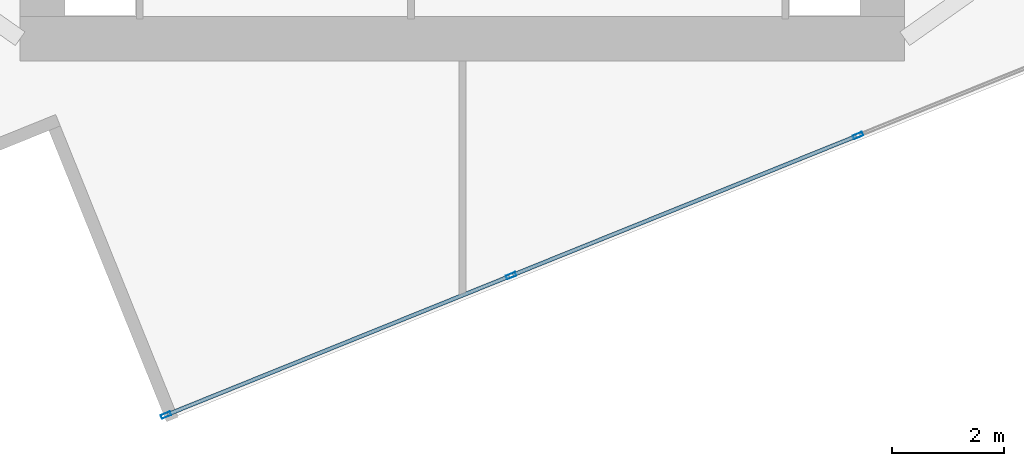
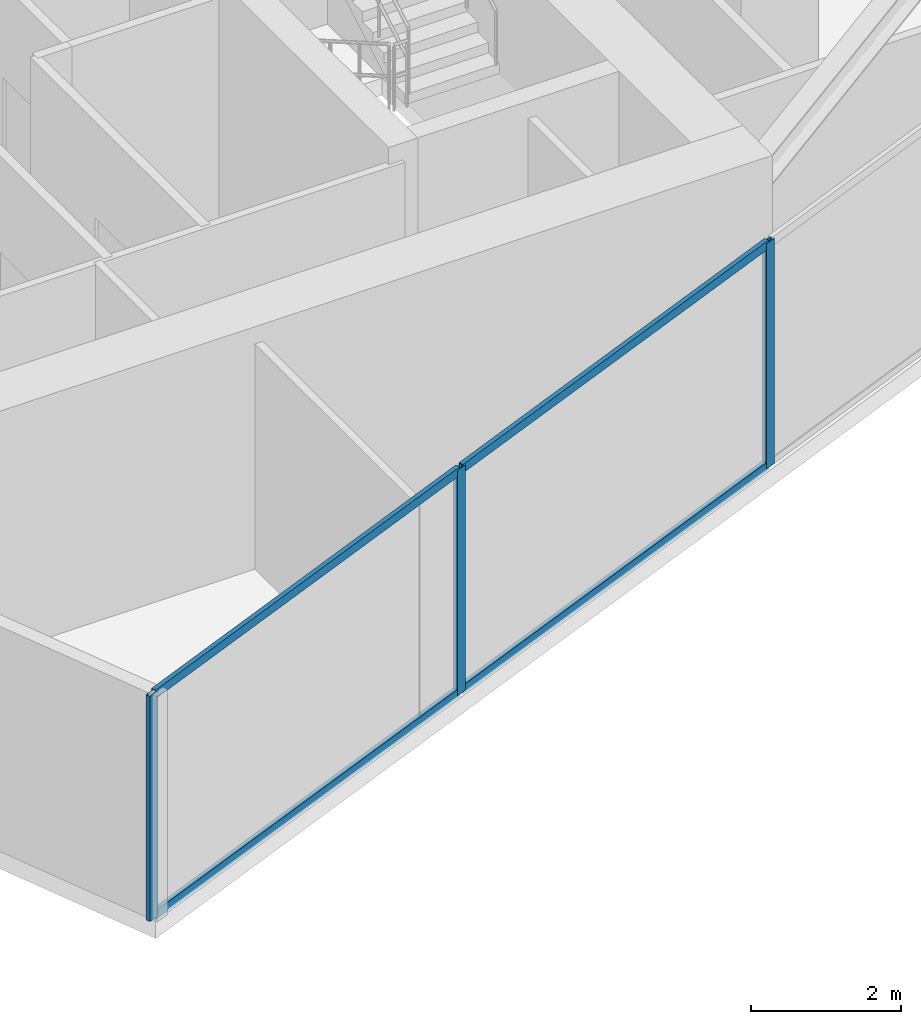
# One storey, part 3 of 21: 7 members, 1 element without a shape of its own.
"""IFC4 building model written with IfcOpenShell, lengths in metres."""

from ifc_helpers import new_model, si_unit, direction, frame, origin, origin_2d, place, context, subcontext, project, spatial, hollow_rectangle, extrude, source, transform, mapped, material, material_profile, profile_set, type_object, type_shapes, element, aggregate, save


model = new_model("IFC4")

# Units and contexts
model_context = context("Model", 3, precision=1e-05, world=origin(), true_north=direction((0.0, 1.0)))
body_context = subcontext(model_context, "Body", "Model", "MODEL_VIEW")
ifc_project = project(units=[si_unit("LENGTHUNIT", "METRE"), si_unit("AREAUNIT", "SQUARE_METRE"), si_unit("VOLUMEUNIT", "CUBIC_METRE"), si_unit("PLANEANGLEUNIT", "RADIAN"), si_unit("MASSUNIT", "GRAM", prefix="KILO")], contexts=[model_context])

# Site, building, storey
site_placement = place(None, origin())
site = spatial("IfcSite", under=ifc_project, at=site_placement, CompositionType="ELEMENT")
building_placement = place(site_placement, origin())
building = spatial("IfcBuilding", under=site, at=building_placement, Name="Krantzveldt Concourse Tower", CompositionType="ELEMENT")
storey_placement = place(building_placement, frame((0.0, 0.0, 327.699951171875)))
storey = spatial("IfcBuildingStorey", under=building, at=storey_placement, Name="L80", CompositionType="ELEMENT", Elevation=327.699951171875)

# Curtain wall, members
ifc_material = material(Name="Anodised aluminium 6063-T6", Category="aluminium")
curtain_wall_type = type_object("IfcCurtainWallType", Name="CW4", PredefinedType="USERDEFINED", material=ifc_material)
curtain_wall_placement = place(storey_placement, origin())
curtain_wall = element("IfcCurtainWall", 1, at=curtain_wall_placement, inside=storey, type_object=curtain_wall_type, Name="CW-L80-F07", ObjectType="UNITISED CURTAIN WALL", PredefinedType="USERDEFINED")
ifc_material_profile_1 = material_profile(ifc_material, hollow_rectangle(XDim=0.070068359375, YDim=0.179931640625, WallThickness=0.0048828125, at=origin_2d()), Name="Anodised aluminium 6063-T6", Category="aluminium")
ifc_profile_set_1 = profile_set([ifc_material_profile_1], Name="Anodised aluminium 6063-T6 - ALU-MULL 180x70x5")
member_type_1 = type_object("IfcMemberType", Name="CW-MUL-180", PredefinedType="MULLION", material=ifc_profile_set_1)
shared_shape_1 = source(origin(), body_context, "Body", "SweptSolid", [
    extrude(hollow_rectangle(XDim=0.070068359375, YDim=0.179931640625, WallThickness=0.0048828125, at=origin_2d()), origin(), (0.0, 0.0, 1.0), 3.670166015625),
])
type_shapes(member_type_1, [shared_shape_1])
member_1_placement = place(storey_placement, frame((30.69189453125, 4.160400390625, 0.0), z_axis=(0.0, 0.0, 1.0), x_axis=(-0.374606664198, 0.927183825969, 0.0)))
member_1 = element("IfcMember", 2, at=member_1_placement, type_object=member_type_1, Name="CW-Z56 mullion 1", PredefinedType="MULLION", context=body_context, shape_type="MappedRepresentation", body=[
    mapped(shared_shape_1, transform((0.0, 0.0, 0.0), x_axis=(1.0, 0.0, 0.0), y_axis=(0.0, 1.0, 0.0), z_axis=(0.0, 0.0, 1.0), scale=1.0)),
])
member_2_placement = place(storey_placement, frame((36.87158203125, 6.656982421875, 0.0), z_axis=(0.0, 0.0, 1.0), x_axis=(-0.374606664198, 0.927183825969, 0.0)))
member_2 = element("IfcMember", 3, at=member_2_placement, type_object=member_type_1, Name="CW-Z56 mullion 2", PredefinedType="MULLION", context=body_context, shape_type="MappedRepresentation", body=[
    mapped(shared_shape_1, transform((0.0, 0.0, 0.0), x_axis=(1.0, 0.0, 0.0), y_axis=(0.0, 1.0, 0.0), z_axis=(0.0, 0.0, 1.0), scale=1.0)),
])
member_3_placement = place(storey_placement, frame((43.083740234375, 9.1669921875, 0.0), z_axis=(0.0, 0.0, 1.0), x_axis=(-0.374606664198, 0.927183825969, 0.0)))
member_3 = element("IfcMember", 4, at=member_3_placement, type_object=member_type_1, Name="CW-Z56 mullion 3", PredefinedType="MULLION", context=body_context, shape_type="MappedRepresentation", body=[
    mapped(shared_shape_1, transform((0.0, 0.0, 0.0), x_axis=(1.0, 0.0, 0.0), y_axis=(0.0, 1.0, 0.0), z_axis=(0.0, 0.0, 1.0), scale=1.0)),
])
ifc_material_profile_2 = material_profile(ifc_material, hollow_rectangle(XDim=0.070068359375, YDim=0.139892578125, WallThickness=0.0048828125, at=origin_2d()), Name="Anodised aluminium 6063-T6", Category="aluminium")
ifc_profile_set_2 = profile_set([ifc_material_profile_2], Name="Anodised aluminium 6063-T6 - ALU-TRAN 140x70x5")
member_type_2 = type_object("IfcMemberType", Name="CW-TRN-150", PredefinedType="USERDEFINED", material=ifc_profile_set_2)
shared_shape_2 = source(origin(), body_context, "Body", "SweptSolid", [
    extrude(hollow_rectangle(XDim=0.070068359375, YDim=0.139892578125, WallThickness=0.0048828125, at=origin_2d()), origin(), (0.0, 0.0, 1.0), 6.594970703125),
])
member_4_placement = place(storey_placement, frame((30.724365234375, 4.17333984375, 0.03515625), z_axis=(0.927174093338, 0.374630752399, 0.0), x_axis=(-0.374630752399, 0.927174093338, 0.0)))
member_4 = element("IfcMember", 5, at=member_4_placement, type_object=member_type_2, Name="CW-Z56 transom 1.1", ObjectType="TRANSOM", PredefinedType="USERDEFINED", context=body_context, shape_type="MappedRepresentation", body=[
    mapped(shared_shape_2, transform((0.0, 0.0, 0.0), x_axis=(1.0, 0.0, 0.0), y_axis=(0.0, 1.0, 0.0), z_axis=(0.0, 0.0, 1.0), scale=1.0)),
])
member_5_placement = place(storey_placement, frame((30.724365234375, 4.17333984375, 3.635009765625), z_axis=(0.927174093338, 0.374630752399, 0.0), x_axis=(-0.374630752399, 0.927174093338, 0.0)))
member_5 = element("IfcMember", 6, at=member_5_placement, type_object=member_type_2, Name="CW-Z56 transom 1.2", ObjectType="TRANSOM", PredefinedType="USERDEFINED", context=body_context, shape_type="MappedRepresentation", body=[
    mapped(shared_shape_2, transform((0.0, 0.0, 0.0), x_axis=(1.0, 0.0, 0.0), y_axis=(0.0, 1.0, 0.0), z_axis=(0.0, 0.0, 1.0), scale=1.0)),
])
shared_shape_3 = source(origin(), body_context, "Body", "SweptSolid", [
    extrude(hollow_rectangle(XDim=0.070068359375, YDim=0.139892578125, WallThickness=0.0048828125, at=origin_2d()), origin(), (0.0, 0.0, 1.0), 6.6298828125),
])
type_shapes(member_type_2, [shared_shape_2, shared_shape_3])
member_6_placement = place(storey_placement, frame((36.904052734375, 6.670166015625, 0.03515625), z_axis=(0.92718355196, 0.374607342392, 0.0), x_axis=(-0.374607342392, 0.92718355196, 0.0)))
member_6 = element("IfcMember", 7, at=member_6_placement, type_object=member_type_2, Name="CW-Z56 transom 2.1", ObjectType="TRANSOM", PredefinedType="USERDEFINED", context=body_context, shape_type="MappedRepresentation", body=[
    mapped(shared_shape_3, transform((0.0, 0.0, 0.0), x_axis=(1.0, 0.0, 0.0), y_axis=(0.0, 1.0, 0.0), z_axis=(0.0, 0.0, 1.0), scale=1.0)),
])
member_7_placement = place(storey_placement, frame((36.904052734375, 6.670166015625, 3.635009765625), z_axis=(0.92718355196, 0.374607342392, 0.0), x_axis=(-0.374607342392, 0.92718355196, 0.0)))
member_7 = element("IfcMember", 8, at=member_7_placement, type_object=member_type_2, Name="CW-Z56 transom 2.2", ObjectType="TRANSOM", PredefinedType="USERDEFINED", context=body_context, shape_type="MappedRepresentation", body=[
    mapped(shared_shape_3, transform((0.0, 0.0, 0.0), x_axis=(1.0, 0.0, 0.0), y_axis=(0.0, 1.0, 0.0), z_axis=(0.0, 0.0, 1.0), scale=1.0)),
])
aggregate(curtain_wall, [member_1, member_2, member_3, member_4, member_5, member_6, member_7])

save(model, "model.ifc")
